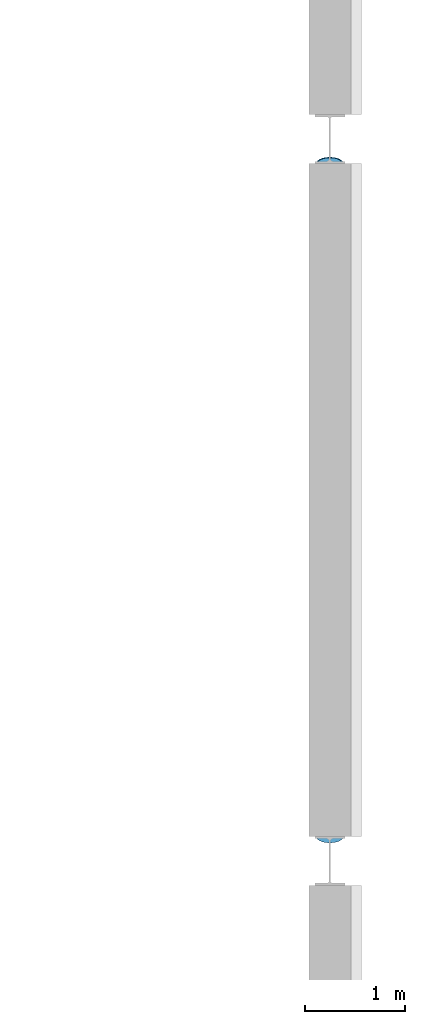
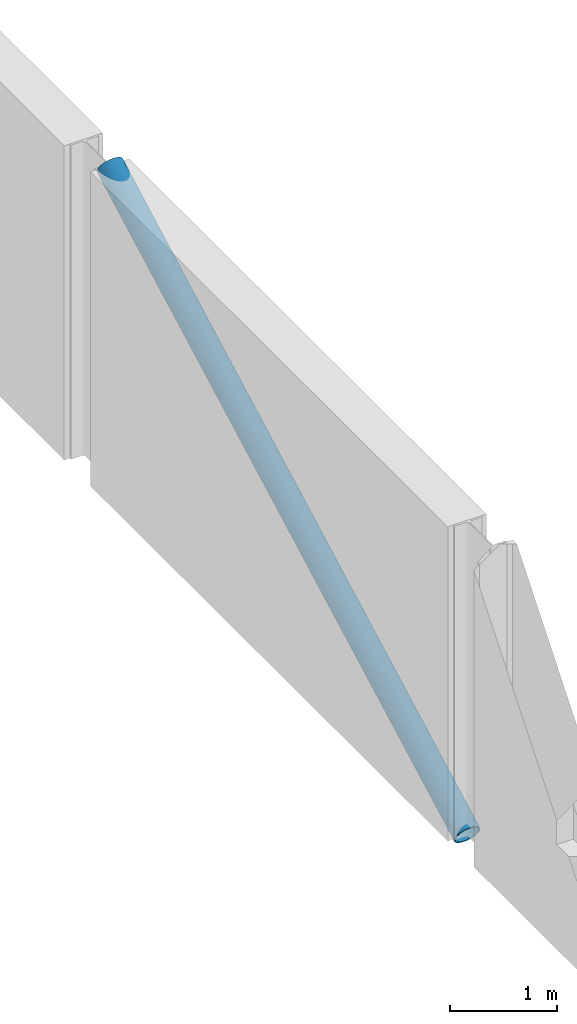
# One storey, part 64 of 142: 1 member.
"""IFC4 building model written with IfcOpenShell, lengths in metres."""

from ifc_helpers import new_model, si_unit, direction, frame, origin, origin_2d, place, context, subcontext, project, spatial, hollow_circle, extrude, material, material_profile, profile_set, type_object, element, save


model = new_model("IFC4")

# Units and contexts
model_context = context("Model", 3, precision=1e-05, world=origin(), true_north=direction((0.0, 1.0)))
body_context = subcontext(model_context, "Body", "Model", "MODEL_VIEW")
ifc_project = project(units=[si_unit("LENGTHUNIT", "METRE"), si_unit("AREAUNIT", "SQUARE_METRE"), si_unit("VOLUMEUNIT", "CUBIC_METRE"), si_unit("PLANEANGLEUNIT", "RADIAN"), si_unit("MASSUNIT", "GRAM", prefix="KILO")], contexts=[model_context])

# Site, building, storey
site_placement = place(None, origin())
site = spatial("IfcSite", under=ifc_project, at=site_placement, CompositionType="ELEMENT")
building_placement = place(site_placement, origin())
building = spatial("IfcBuilding", under=site, at=building_placement, Name="Kupolbacken Congress Centre", CompositionType="ELEMENT")
storey_placement = place(building_placement, frame((0.0, 0.0, 14.39990234375)))
storey = spatial("IfcBuildingStorey", under=building, at=storey_placement, Name="L04", CompositionType="ELEMENT", Elevation=14.39990234375)

# Member
ifc_material = material(Name="Steel S355", Category="steel")
ifc_material_profile = material_profile(ifc_material, hollow_circle(Radius=0.136474609375, WallThickness=0.012451171875, at=origin_2d()), Name="CHS 273 x 12.5")
ifc_profile_set = profile_set([ifc_material_profile], Name="Steel S355")
member_type = type_object("IfcMemberType", Name="M08 brace CHS 273 x 12.5", PredefinedType="BRACE", material=ifc_profile_set)
member_placement = place(storey_placement, frame((201.60009765625, 57.844970703125, 0.0), z_axis=(0.0, 0.881180466795, 0.472780059793), x_axis=(-1.0, 0.0, 0.0)))
element("IfcMember", 1, at=member_placement, inside=storey, type_object=member_type, Name="S/brace/E/03/05", PredefinedType="BRACE", context=body_context, shape_type="SweptSolid", body=[
    extrude(hollow_circle(Radius=0.136474609375, WallThickness=0.012451171875, at=origin_2d()), origin(), (0.0, 0.0, 1.0), 7.61474609375),
])

save(model, "model.ifc")
